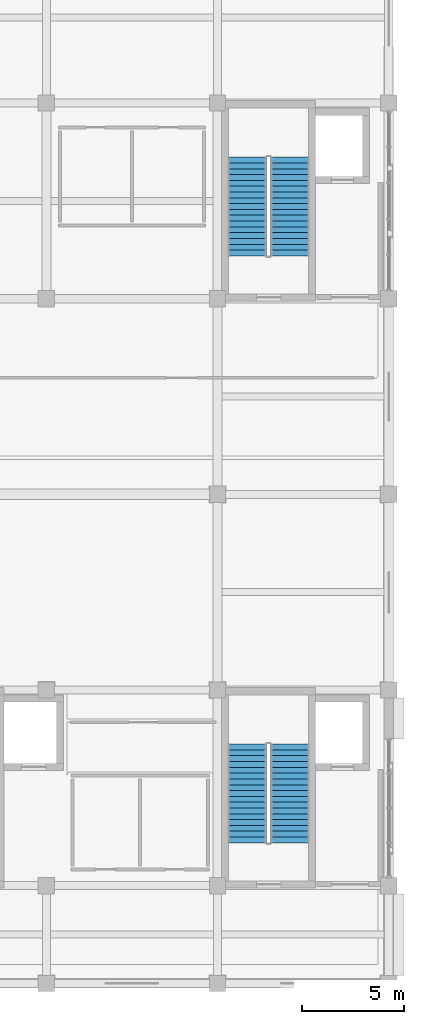
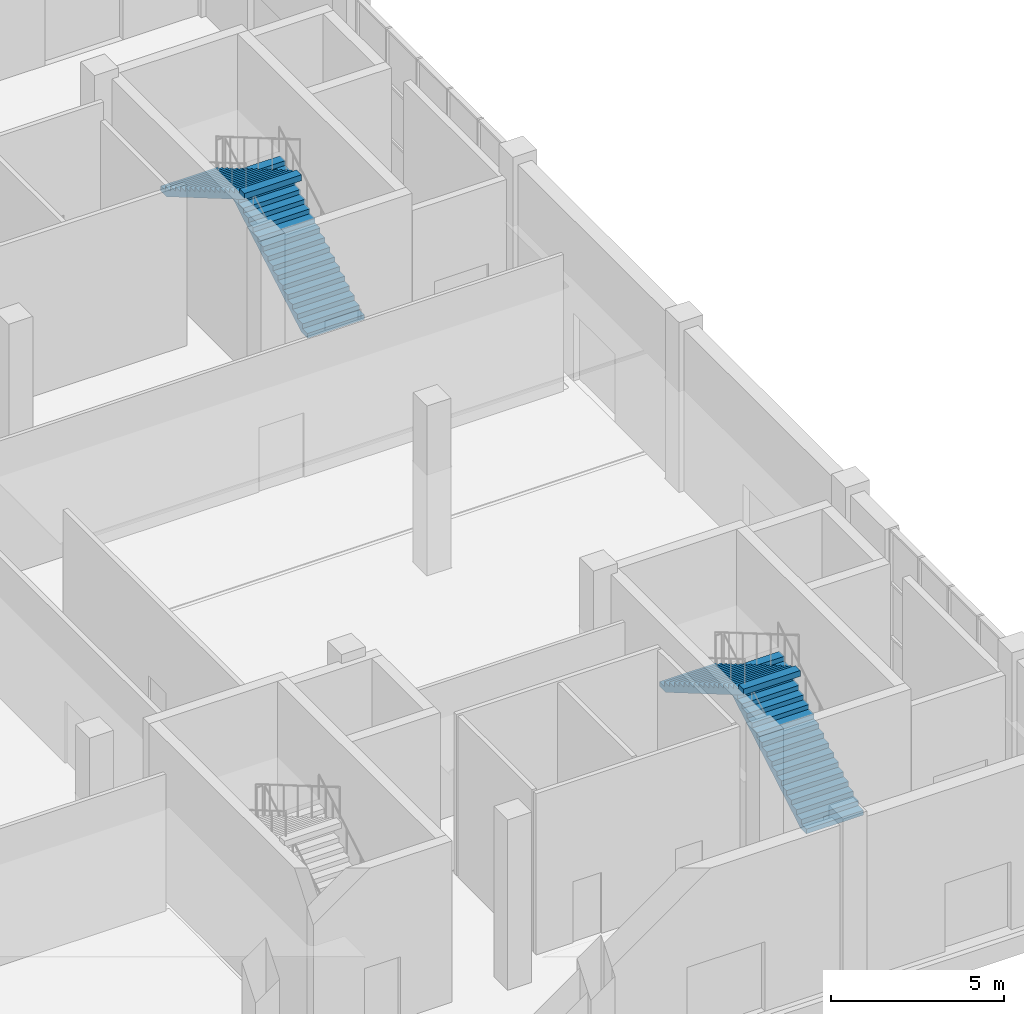
# One storey, part 63 of 84: 4 stair flights, 2 elements without a shape of their own.
"""IFC4 building model written with IfcOpenShell, lengths in metres."""

import ifcopenshell
import ifcopenshell.guid

model = None  # the IFC model being written
_history = None  # IfcOwnerHistory: only IFC2X3 demands one
_inside = {}  # id of a spatial element -> (the spatial element, [elements in it])
_under = {}  # id of a project, library or spatial element -> (it, [spatial elements below it])
_declared = {}  # id of a project -> (the project, [libraries it declares])
_typed = {}  # id of a type object -> (the type object, [elements of that type])
_made_of = {}  # id of a material, layer set ... -> (it, [elements and type objects made of it])


def new_model(schema):
    """Start an empty IFC model of exactly this schema.

    Asked for "IFC4X3", IfcOpenShell would pick the latest addendum, in which some entities
    have other attributes; the version numbers below select the first issue.
    IFC2X3 requires an IfcOwnerHistory on every rooted entity: one is made here for all.
    """
    global model, _history
    if schema == "IFC4X3":
        model = ifcopenshell.file(schema_version=(4, 3, 0, 0))
    else:
        model = ifcopenshell.file(schema=schema)
    _inside.clear()
    _under.clear()
    _declared.clear()
    _typed.clear()
    _made_of.clear()
    _history = None
    if model.schema == "IFC2X3":
        org = make("IfcOrganization", Name="unknown")
        user = make(
            "IfcPersonAndOrganization",
            ThePerson=make("IfcPerson", FamilyName="unknown"),
            TheOrganization=org,
        )
        app = make(
            "IfcApplication",
            ApplicationDeveloper=org,
            Version="unknown",
            ApplicationFullName="unknown",
            ApplicationIdentifier="unknown",
        )
        _history = make(
            "IfcOwnerHistory",
            OwningUser=user,
            OwningApplication=app,
            ChangeAction="ADDED",
            CreationDate=0,
        )
    return model


def make(cls, **values):
    """One entity of the class cls with the attributes given. An attribute that is None is left unset."""
    return model.create_entity(
        cls, **{name: value for name, value in values.items() if value is not None}
    )


def rooted(cls, **values):
    """An entity with a GlobalId (a new one), such as an element, a storey or a relation."""
    return make(cls, GlobalId=ifcopenshell.guid.new(), OwnerHistory=_history, **values)


def si_unit(unit_type, name, prefix=None):
    """IfcSIUnit, for example si_unit("LENGTHUNIT", "METRE", prefix="MILLI")."""
    return make("IfcSIUnit", UnitType=unit_type, Prefix=prefix, Name=name)


def assignment(units):
    """IfcUnitAssignment: the units of a project."""
    return None if units is None else make("IfcUnitAssignment", Units=units)


def point(xyz):
    """IfcCartesianPoint."""
    return None if xyz is None else make("IfcCartesianPoint", Coordinates=xyz)


def direction(xyz):
    """IfcDirection."""
    return None if xyz is None else make("IfcDirection", DirectionRatios=xyz)


def frame(location, z_axis=None, x_axis=None):
    """IfcAxis2Placement3D, a coordinate frame: its origin and axes. An axis left out is left unset."""
    return make(
        "IfcAxis2Placement3D",
        Location=point(location),
        Axis=direction(z_axis),
        RefDirection=direction(x_axis),
    )


def origin():
    """The frame at (0, 0, 0) with its axes left unset."""
    return frame((0.0, 0.0, 0.0))


def place(relative_to, where):
    """IfcLocalPlacement: puts the frame where relative to a parent placement (None: the world)."""
    return make(
        "IfcLocalPlacement", PlacementRelTo=relative_to, RelativePlacement=where
    )


def context(
    kind, dimensions, precision=None, world=None, true_north=None, identifier=None
):
    """IfcGeometricRepresentationContext, for example the 3D "Model" context."""
    return make(
        "IfcGeometricRepresentationContext",
        ContextIdentifier=identifier,
        ContextType=kind,
        CoordinateSpaceDimension=dimensions,
        Precision=precision,
        WorldCoordinateSystem=world,
        TrueNorth=true_north,
    )


def subcontext(parent, identifier, kind, view, scale=None):
    """IfcGeometricRepresentationSubContext, for example "Body" below "Model"."""
    return make(
        "IfcGeometricRepresentationSubContext",
        ContextIdentifier=identifier,
        ContextType=kind,
        ParentContext=parent,
        TargetScale=scale,
        TargetView=view,
    )


def project(units=None, contexts=None):
    """IfcProject with its units and contexts."""
    return rooted(
        "IfcProject",
        Name="project",
        RepresentationContexts=contexts,
        UnitsInContext=assignment(units),
    )


def spatial(cls, under=None, at=None, **own):
    """A site, building, storey or space (cls), placed at a placement, below another one or the project."""
    s = rooted(cls, ObjectPlacement=at, **own)
    if under is not None:
        _under.setdefault(under.id(), (under, []))[1].append(s)
    return s


def polyline(points):
    """IfcPolyline through the points."""
    return make("IfcPolyline", Points=[point(p) for p in points])


def outline(outer, holes=None, kind="AREA"):
    """IfcArbitraryClosedProfileDef: a profile drawn as a closed curve; with holes, ...WithVoids."""
    if holes is None:
        return make("IfcArbitraryClosedProfileDef", ProfileType=kind, OuterCurve=outer)
    return make(
        "IfcArbitraryProfileDefWithVoids",
        ProfileType=kind,
        OuterCurve=outer,
        InnerCurves=holes,
    )


def extrude(swept, where, along, depth):
    """IfcExtrudedAreaSolid: the profile swept, set in the frame where, extruded along a direction by depth."""
    return make(
        "IfcExtrudedAreaSolid",
        SweptArea=swept,
        Position=where,
        ExtrudedDirection=direction(along),
        Depth=depth,
    )


def shape(context_of_items, identifier, shape_type, items):
    """IfcShapeRepresentation: the items that make up one representation, for example the "Body"."""
    return make(
        "IfcShapeRepresentation",
        ContextOfItems=context_of_items,
        RepresentationIdentifier=identifier,
        RepresentationType=shape_type,
        Items=items,
    )


def material(Name=None, Category=None):
    """IfcMaterial."""
    return make("IfcMaterial", Name=Name, Category=Category)


def made_of(thing, what):
    """Note that an element or type object is made of a material, layer set ...; save() writes the relation."""
    if what is not None:
        _made_of.setdefault(what.id(), (what, []))[1].append(thing)
    return thing


def type_object(cls, material=None, **own):
    """A type object (cls), such as IfcWallType, which elements share."""
    return made_of(rooted(cls, **own), material)


def element(
    cls,
    number,
    at=None,
    inside=None,
    cuts=None,
    type_object=None,
    material=None,
    context=None,
    identifier="Body",
    shape_type=None,
    held_by="IfcProductDefinitionShape",
    body=None,
    shapes=None,
    **own,
):
    """One element of the class cls, such as IfcWall. Its Tag is "e" and its number.

    at: its placement. inside: the storey or other place that contains it. cuts: it is an
    opening in that element (IfcRelVoidsElement). A single representation is given by context,
    identifier, shape_type and body (its items); several are given by shapes. held_by: the class
    of the entity that holds the representations. save() writes the other relations.
    """
    e = rooted(cls, Tag="e%d" % number, ObjectPlacement=at, **own)
    if body is not None:
        shapes = [shape(context, identifier, shape_type, body)]
    if shapes is not None:
        e.Representation = make(held_by, Representations=shapes)
    if inside is not None:
        _inside.setdefault(inside.id(), (inside, []))[1].append(e)
    if cuts is not None:
        rooted(
            "IfcRelVoidsElement", RelatingBuildingElement=cuts, RelatedOpeningElement=e
        )
    if type_object is not None:
        _typed.setdefault(type_object.id(), (type_object, []))[1].append(e)
    return made_of(e, material)


def aggregate(whole, parts):
    """IfcRelAggregates: a whole, such as a stair, and the parts it consists of."""
    return rooted("IfcRelAggregates", RelatingObject=whole, RelatedObjects=parts)


def save(model, path):
    """Write the relations noted so far, then the file.

    IfcRelAggregates (storeys below a building ...), IfcRelContainedInSpatialStructure (elements
    in a storey), IfcRelDefinesByType, IfcRelAssociatesMaterial and IfcRelDeclares: one each for
    every whole, place, type object, material and project.
    """
    for whole, parts in _under.values():
        aggregate(whole, parts)
    for where, things in _inside.values():
        rooted(
            "IfcRelContainedInSpatialStructure",
            RelatedElements=things,
            RelatingStructure=where,
        )
    for kind, things in _typed.values():
        rooted("IfcRelDefinesByType", RelatedObjects=things, RelatingType=kind)
    for what, things in _made_of.values():
        rooted("IfcRelAssociatesMaterial", RelatedObjects=things, RelatingMaterial=what)
    for by, libraries in _declared.values():
        rooted("IfcRelDeclares", RelatingContext=by, RelatedDefinitions=libraries)
    model.write(path)


model = new_model("IFC4")

# Units and contexts
model_context = context("Model", 3, precision=1e-05, world=origin(), true_north=direction((0.0, 1.0)))
body_context = subcontext(model_context, "Body", "Model", "MODEL_VIEW")
ifc_project = project(units=[si_unit("LENGTHUNIT", "METRE"), si_unit("AREAUNIT", "SQUARE_METRE"), si_unit("VOLUMEUNIT", "CUBIC_METRE"), si_unit("PLANEANGLEUNIT", "RADIAN"), si_unit("MASSUNIT", "GRAM", prefix="KILO")], contexts=[model_context])

# Site, building, storey
site_placement = place(None, origin())
site = spatial("IfcSite", under=ifc_project, at=site_placement, CompositionType="ELEMENT")
building_placement = place(site_placement, origin())
building = spatial("IfcBuilding", under=site, at=building_placement, Name="Shalvenor Court Art Gallery", CompositionType="ELEMENT")
storey_placement = place(building_placement, origin())
storey = spatial("IfcBuildingStorey", under=building, at=storey_placement, Name="L00", CompositionType="ELEMENT", Elevation=0.0)

# Stair, stair flights
ifc_material_1 = material(Name="Concrete C40/50", Category="concrete")
stair_type = type_object("IfcStairType", Name="ST-DL-36R-1900", PredefinedType="HALF_TURN_STAIR", material=ifc_material_1)
stair_1_placement = place(storey_placement, origin())
stair_1 = element("IfcStair", 1, at=stair_1_placement, inside=storey, type_object=stair_type, Name="L00 Core Dogleg Stair ST-01", PredefinedType="HALF_TURN_STAIR")
ifc_material_2 = material(Name="Concrete C40/50", Category="concrete")
stair_flight_type = type_object("IfcStairFlightType", Name="FL-DL-18R-1900", PredefinedType="STRAIGHT", material=ifc_material_2)
stair_flight_1_placement = place(storey_placement, frame((171.550048828125, 81.300048828125, 0.0), z_axis=(0.0, 0.0, 1.0), x_axis=(0.0, 1.0, 0.0)))
stair_flight_1 = element("IfcStairFlight", 2, at=stair_flight_1_placement, type_object=stair_flight_type, Name="ST-DL-36R-1900 flight 1", NumberOfRisers=18, NumberOfTreads=17, PredefinedType="STRAIGHT", RiserHeight=0.166666667, TreadLength=0.285, context=body_context, shape_type="SweptSolid", body=[
    extrude(outline(polyline([(0.0, 0.0), (0.0, 0.166748046875), (0.284912109375, 0.166748046875), (0.284912109375, 0.333251953125), (0.570068359375, 0.333251953125), (0.570068359375, 0.5), (0.85498046875, 0.5), (0.85498046875, 0.666748046875), (1.139892578125, 0.666748046875), (1.139892578125, 0.833251953125), (1.425048828125, 0.833251953125), (1.425048828125, 1.0), (1.7099609375, 1.0), (1.7099609375, 1.166748046875), (1.9951171875, 1.166748046875), (1.9951171875, 1.333251953125), (2.280029296875, 1.333251953125), (2.280029296875, 1.5), (2.56494140625, 1.5), (2.56494140625, 1.666748046875), (2.85009765625, 1.666748046875), (2.85009765625, 1.833251953125), (3.135009765625, 1.833251953125), (3.135009765625, 2.0), (3.419921875, 2.0), (3.419921875, 2.166748046875), (3.705078125, 2.166748046875), (3.705078125, 2.333251953125), (3.989990234375, 2.333251953125), (3.989990234375, 2.5), (4.27490234375, 2.5), (4.27490234375, 2.666748046875), (4.56005859375, 2.666748046875), (4.56005859375, 2.833251953125), (4.844970703125, 2.833251953125), (4.844970703125, 3.0), (4.844970703125, 2.625), (0.3564453125, 0.0), (0.0, 0.0)])), frame((0.0, 0.949951171875, 0.0), z_axis=(0.0, -1.0, 0.0), x_axis=(1.0, 0.0, 0.0)), (0.0, 0.0, 1.0), 1.89990234375),
])
stair_flight_2_placement = place(storey_placement, frame((169.449951171875, 86.14501953125, 3.0), z_axis=(0.0, 0.0, 1.0), x_axis=(0.0, -1.0, 0.0)))
stair_flight_2 = element("IfcStairFlight", 3, at=stair_flight_2_placement, type_object=stair_flight_type, Name="ST-DL-36R-1900 flight 2", NumberOfRisers=18, NumberOfTreads=17, PredefinedType="STRAIGHT", RiserHeight=0.166666667, TreadLength=0.285, context=body_context, shape_type="SweptSolid", body=[
    extrude(outline(polyline([(0.0, 0.0), (0.0, 0.166748046875), (0.284912109375, 0.166748046875), (0.284912109375, 0.333251953125), (0.570068359375, 0.333251953125), (0.570068359375, 0.5), (0.85498046875, 0.5), (0.85498046875, 0.666748046875), (1.139892578125, 0.666748046875), (1.139892578125, 0.833251953125), (1.425048828125, 0.833251953125), (1.425048828125, 1.0), (1.7099609375, 1.0), (1.7099609375, 1.166748046875), (1.9951171875, 1.166748046875), (1.9951171875, 1.333251953125), (2.280029296875, 1.333251953125), (2.280029296875, 1.5), (2.56494140625, 1.5), (2.56494140625, 1.666748046875), (2.85009765625, 1.666748046875), (2.85009765625, 1.833251953125), (3.135009765625, 1.833251953125), (3.135009765625, 2.0), (3.419921875, 2.0), (3.419921875, 2.166748046875), (3.705078125, 2.166748046875), (3.705078125, 2.333251953125), (3.989990234375, 2.333251953125), (3.989990234375, 2.5), (4.27490234375, 2.5), (4.27490234375, 2.666748046875), (4.56005859375, 2.666748046875), (4.56005859375, 2.833251953125), (4.844970703125, 2.833251953125), (4.844970703125, 3.0), (4.844970703125, 2.625), (0.3564453125, 0.0), (0.0, 0.0)])), frame((0.0, 0.949951171875, 0.0), z_axis=(0.0, -1.0, 0.0), x_axis=(1.0, 0.0, 0.0)), (0.0, 0.0, 1.0), 1.89990234375),
])
aggregate(stair_1, [stair_flight_1, stair_flight_2])

stair_2_placement = place(storey_placement, origin())
stair_2 = element("IfcStair", 4, at=stair_2_placement, inside=storey, type_object=stair_type, Name="L00 Core Dogleg Stair ST-02", PredefinedType="HALF_TURN_STAIR")
stair_flight_3_placement = place(storey_placement, frame((171.550048828125, 52.5, 0.0), z_axis=(0.0, 0.0, 1.0), x_axis=(0.0, 1.0, 0.0)))
stair_flight_3 = element("IfcStairFlight", 5, at=stair_flight_3_placement, type_object=stair_flight_type, Name="ST-DL-36R-1900 flight 1", NumberOfRisers=18, NumberOfTreads=17, PredefinedType="STRAIGHT", RiserHeight=0.166666667, TreadLength=0.285, context=body_context, shape_type="SweptSolid", body=[
    extrude(outline(polyline([(0.0, 0.0), (0.0, 0.166748046875), (0.284912109375, 0.166748046875), (0.284912109375, 0.333251953125), (0.570068359375, 0.333251953125), (0.570068359375, 0.5), (0.85498046875, 0.5), (0.85498046875, 0.666748046875), (1.139892578125, 0.666748046875), (1.139892578125, 0.833251953125), (1.425048828125, 0.833251953125), (1.425048828125, 1.0), (1.7099609375, 1.0), (1.7099609375, 1.166748046875), (1.9951171875, 1.166748046875), (1.9951171875, 1.333251953125), (2.280029296875, 1.333251953125), (2.280029296875, 1.5), (2.56494140625, 1.5), (2.56494140625, 1.666748046875), (2.85009765625, 1.666748046875), (2.85009765625, 1.833251953125), (3.135009765625, 1.833251953125), (3.135009765625, 2.0), (3.419921875, 2.0), (3.419921875, 2.166748046875), (3.705078125, 2.166748046875), (3.705078125, 2.333251953125), (3.989990234375, 2.333251953125), (3.989990234375, 2.5), (4.27490234375, 2.5), (4.27490234375, 2.666748046875), (4.56005859375, 2.666748046875), (4.56005859375, 2.833251953125), (4.844970703125, 2.833251953125), (4.844970703125, 3.0), (4.844970703125, 2.625), (0.3564453125, 0.0), (0.0, 0.0)])), frame((0.0, 0.949951171875, 0.0), z_axis=(0.0, -1.0, 0.0), x_axis=(1.0, 0.0, 0.0)), (0.0, 0.0, 1.0), 1.89990234375),
])
stair_flight_4_placement = place(storey_placement, frame((169.449951171875, 57.344970703125, 3.0), z_axis=(0.0, 0.0, 1.0), x_axis=(0.0, -1.0, 0.0)))
stair_flight_4 = element("IfcStairFlight", 6, at=stair_flight_4_placement, type_object=stair_flight_type, Name="ST-DL-36R-1900 flight 2", NumberOfRisers=18, NumberOfTreads=17, PredefinedType="STRAIGHT", RiserHeight=0.166666667, TreadLength=0.285, context=body_context, shape_type="SweptSolid", body=[
    extrude(outline(polyline([(0.0, 0.0), (0.0, 0.166748046875), (0.284912109375, 0.166748046875), (0.284912109375, 0.333251953125), (0.570068359375, 0.333251953125), (0.570068359375, 0.5), (0.85498046875, 0.5), (0.85498046875, 0.666748046875), (1.139892578125, 0.666748046875), (1.139892578125, 0.833251953125), (1.425048828125, 0.833251953125), (1.425048828125, 1.0), (1.7099609375, 1.0), (1.7099609375, 1.166748046875), (1.9951171875, 1.166748046875), (1.9951171875, 1.333251953125), (2.280029296875, 1.333251953125), (2.280029296875, 1.5), (2.56494140625, 1.5), (2.56494140625, 1.666748046875), (2.85009765625, 1.666748046875), (2.85009765625, 1.833251953125), (3.135009765625, 1.833251953125), (3.135009765625, 2.0), (3.419921875, 2.0), (3.419921875, 2.166748046875), (3.705078125, 2.166748046875), (3.705078125, 2.333251953125), (3.989990234375, 2.333251953125), (3.989990234375, 2.5), (4.27490234375, 2.5), (4.27490234375, 2.666748046875), (4.56005859375, 2.666748046875), (4.56005859375, 2.833251953125), (4.844970703125, 2.833251953125), (4.844970703125, 3.0), (4.844970703125, 2.625), (0.3564453125, 0.0), (0.0, 0.0)])), frame((0.0, 0.949951171875, 0.0), z_axis=(0.0, -1.0, 0.0), x_axis=(1.0, 0.0, 0.0)), (0.0, 0.0, 1.0), 1.89990234375),
])
aggregate(stair_2, [stair_flight_3, stair_flight_4])

save(model, "model.ifc")
